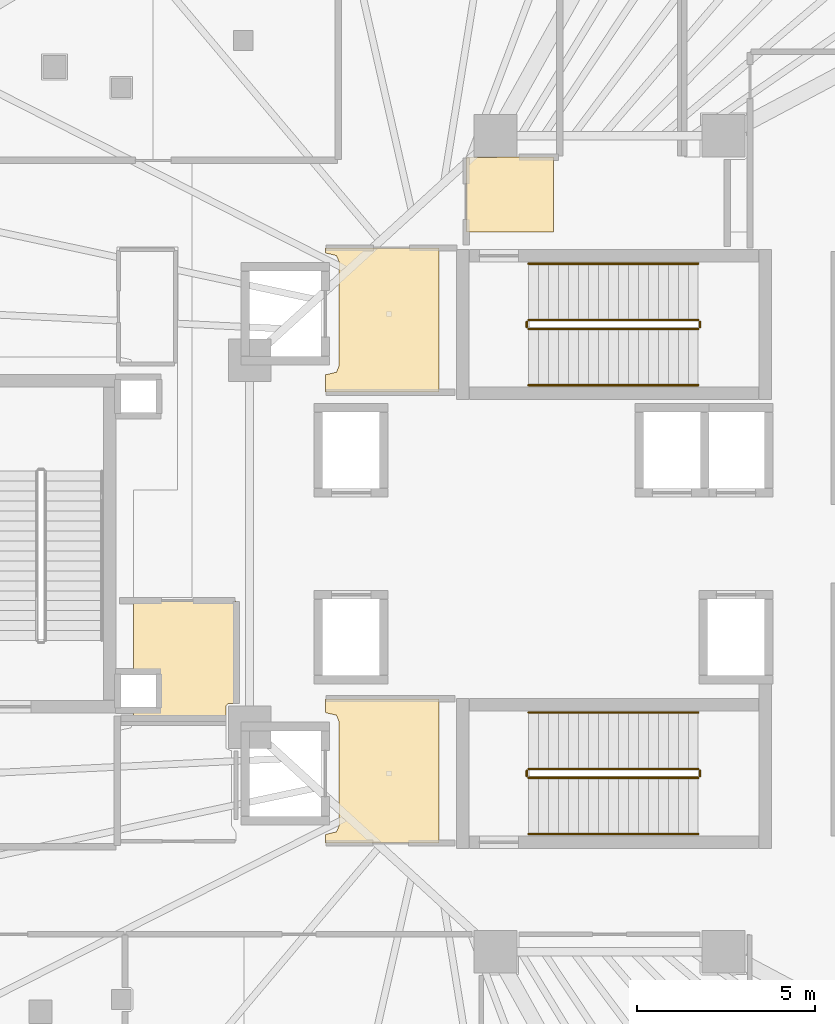
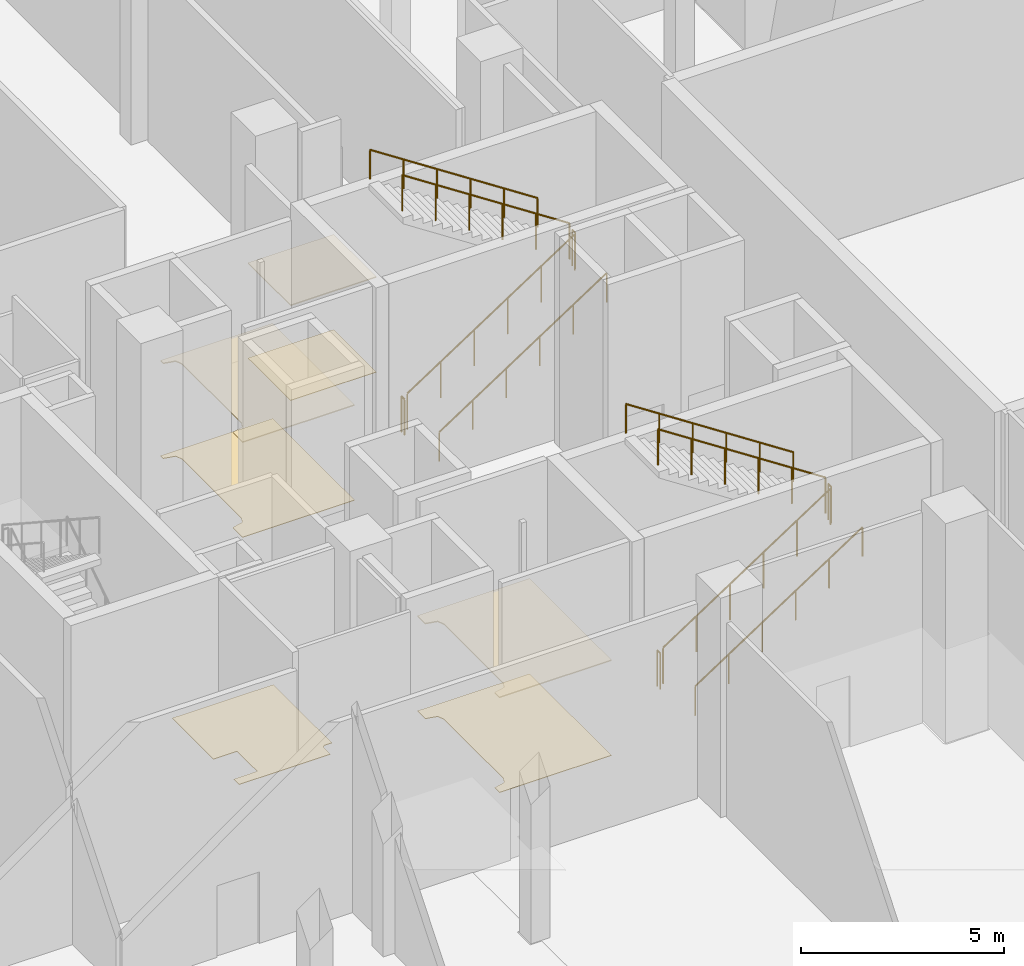
# One storey, part 41 of 45: 12 railings, 7 coverings.
"""IFC4 building model written with IfcOpenShell, lengths in metres."""

from ifc_helpers import new_model, si_unit, direction, frame, origin, origin_2d, place, context, subcontext, project, spatial, polyline, circle, outline, extrude, material, layer, layer_set, type_object, element, save


model = new_model("IFC4")

# Units and contexts
model_context = context("Model", 3, precision=1e-05, world=origin(), true_north=direction((0.0, 1.0)))
body_context = subcontext(model_context, "Body", "Model", "MODEL_VIEW")
ifc_project = project(units=[si_unit("LENGTHUNIT", "METRE"), si_unit("AREAUNIT", "SQUARE_METRE"), si_unit("VOLUMEUNIT", "CUBIC_METRE"), si_unit("PLANEANGLEUNIT", "RADIAN"), si_unit("MASSUNIT", "GRAM", prefix="KILO")], contexts=[model_context])

# Site, building, storey
site_placement = place(None, origin())
site = spatial("IfcSite", under=ifc_project, at=site_placement, CompositionType="ELEMENT")
building_placement = place(site_placement, origin())
building = spatial("IfcBuilding", under=site, at=building_placement, Name="Qorvath Tower", CompositionType="ELEMENT")
storey_placement = place(building_placement, origin())
storey = spatial("IfcBuildingStorey", under=building, at=storey_placement, Name="L00", CompositionType="ELEMENT", Elevation=0.0)

# Coverings
ifc_material_1 = material(Name="Acoustic mineral fibre ceiling tile", Category="gypsum")
ifc_layer_1 = layer(ifc_material_1, 0.030029296875)
ifc_layer_set_1 = layer_set([ifc_layer_1], Name="COV-CEIL")
covering_type_1 = type_object("IfcCoveringType", Name="COV-CEIL", PredefinedType="CEILING", material=ifc_layer_set_1)
covering_1_placement = place(storey_placement, frame((0.0, 0.0, 2.85009765625)))
element("IfcCovering", 1, at=covering_1_placement, inside=storey, type_object=covering_type_1, Name="L00 Suspended Acoustic Ceiling 001", PredefinedType="CEILING", context=body_context, shape_type="SweptSolid", body=[
    extrude(outline(polyline([(-25.18994140625, 4.2548828125), (-25.18994140625, 8.294921875), (-28.375, 8.294921875), (-28.375, 8.159912109375), (-28.063232421875, 8.086669921875), (-27.989990234375, 7.909912109375), (-27.989990234375, 4.989990234375), (-28.063232421875, 4.813232421875), (-28.375, 4.739990234375), (-28.375, 4.2548828125), (-25.18994140625, 4.2548828125)])), origin(), (0.0, 0.0, 1.0), 0.030029296875),
])
covering_2_placement = place(storey_placement, frame((0.0, 0.0, 2.85009765625)))
element("IfcCovering", 2, at=covering_2_placement, inside=storey, type_object=covering_type_1, Name="L00 Suspended Acoustic Ceiling 002", PredefinedType="CEILING", context=body_context, shape_type="SweptSolid", body=[
    extrude(outline(polyline([(-25.18994140625, -8.39501953125), (-25.18994140625, -4.35498046875), (-28.375, -4.35498046875), (-28.375, -4.739990234375), (-28.063232421875, -4.813232421875), (-27.989990234375, -4.989990234375), (-27.989990234375, -7.909912109375), (-28.063232421875, -8.086669921875), (-28.375, -8.159912109375), (-28.375, -8.39501953125), (-25.18994140625, -8.39501953125)])), origin(), (0.0, 0.0, 1.0), 0.030029296875),
])
covering_3_placement = place(storey_placement, frame((0.0, 0.0, 2.85009765625)))
element("IfcCovering", 3, at=covering_3_placement, inside=storey, type_object=covering_type_1, Name="L00 Suspended Acoustic Ceiling 007", PredefinedType="CEILING", context=body_context, shape_type="SweptSolid", body=[
    extrude(outline(polyline([(-24.4150390625, 10.844970703125), (-24.4150390625, 8.75), (-21.978271484375, 8.75), (-21.978271484375, 10.849609375), (-24.4150390625, 10.844970703125)])), origin(), (0.0, 0.0, 1.0), 0.030029296875),
])
ifc_material_2 = material(Name="Polished epoxy terrazzo flooring", Category="concrete")
ifc_layer_2 = layer(ifc_material_2, 0.02001953125)
ifc_layer_set_2 = layer_set([ifc_layer_2], Name="COV-FLOOR-TRZ")
covering_type_2 = type_object("IfcCoveringType", Name="COV-FLOOR-TRZ", PredefinedType="FLOORING", material=ifc_layer_set_2)
covering_4_placement = place(storey_placement, origin())
element("IfcCovering", 4, at=covering_4_placement, inside=storey, type_object=covering_type_2, Name="L00 Floor Finish 001", PredefinedType="FLOORING", context=body_context, shape_type="SweptSolid", body=[
    extrude(outline(polyline([(-25.18994140625, 4.2548828125), (-25.18994140625, 8.294921875), (-28.375, 8.294921875), (-28.375, 8.159912109375), (-28.063232421875, 8.086669921875), (-27.989990234375, 7.909912109375), (-27.989990234375, 4.989990234375), (-28.063232421875, 4.813232421875), (-28.375, 4.739990234375), (-28.375, 4.2548828125), (-25.18994140625, 4.2548828125)])), origin(), (0.0, 0.0, 1.0), 0.014892578125),
])
covering_5_placement = place(storey_placement, origin())
element("IfcCovering", 5, at=covering_5_placement, inside=storey, type_object=covering_type_2, Name="L00 Floor Finish 002", PredefinedType="FLOORING", context=body_context, shape_type="SweptSolid", body=[
    extrude(outline(polyline([(-25.18994140625, -8.39501953125), (-25.18994140625, -4.35498046875), (-28.375, -4.35498046875), (-28.375, -4.739990234375), (-28.063232421875, -4.813232421875), (-27.989990234375, -4.989990234375), (-27.989990234375, -7.909912109375), (-28.063232421875, -8.086669921875), (-28.375, -8.159912109375), (-28.375, -8.39501953125), (-25.18994140625, -8.39501953125)])), origin(), (0.0, 0.0, 1.0), 0.014892578125),
])
covering_6_placement = place(storey_placement, origin())
element("IfcCovering", 6, at=covering_6_placement, inside=storey, type_object=covering_type_2, Name="L00 Floor Finish 005", PredefinedType="FLOORING", context=body_context, shape_type="SweptSolid", body=[
    extrude(outline(polyline([(-30.885009765625, -4.489990234375), (-30.885009765625, -1.60498046875), (-33.760009765625, -1.60498046875), (-33.760009765625, -3.636962890625), (-33.08837890625, -3.638427734375), (-33.0869140625, -4.6279296875), (-33.760009765625, -4.633056640625), (-33.760009765625, -4.89501953125), (-31.159912109375, -4.89501953125), (-31.159912109375, -4.550048828125), (-31.10009765625, -4.489990234375), (-30.885009765625, -4.489990234375)])), origin(), (0.0, 0.0, 1.0), 0.014892578125),
])
covering_7_placement = place(storey_placement, origin())
element("IfcCovering", 7, at=covering_7_placement, inside=storey, type_object=covering_type_2, Name="L00 Floor Finish 007", PredefinedType="FLOORING", context=body_context, shape_type="SweptSolid", body=[
    extrude(outline(polyline([(-24.4150390625, 10.844970703125), (-24.4150390625, 8.75), (-21.978271484375, 8.75), (-21.978271484375, 10.849609375), (-24.4150390625, 10.844970703125)])), origin(), (0.0, 0.0, 1.0), 0.014892578125),
])

# Railings
ifc_material_3 = material(Name="Painted galvanised steel", Category="steel")
railing_type_1 = type_object("IfcRailingType", Name="RL-STR-GRD", PredefinedType="GUARDRAIL", material=ifc_material_3)
railing_1_placement = place(storey_placement, frame((-22.669921875, 6.030029296875, 0.183349609375)))
element("IfcRailing", 8, at=railing_1_placement, inside=storey, type_object=railing_type_1, Name="L00 TS1 stair guard 1", PredefinedType="GUARDRAIL", context=body_context, shape_type="SweptSolid", body=[
    extrude(circle(Radius=0.02392578125, at=origin_2d()), frame((0.0, 0.0, 1.076171875), z_axis=(0.836616421643, 0.0, 0.547789159291), x_axis=(0.0, 1.0, 0.0)), (0.0, 0.0, 1.0), 5.689697265625),
    extrude(circle(Radius=0.02099609375, at=origin_2d()), origin(), (0.0, 0.0, 1.0), 1.052001953125),
    extrude(circle(Radius=0.02099609375, at=origin_2d()), frame((0.951904296875, 0.0, 0.623291015625)), (0.0, 0.0, 1.0), 1.052001953125),
    extrude(circle(Radius=0.02099609375, at=origin_2d()), frame((1.904052734375, 0.0, 1.24658203125)), (0.0, 0.0, 1.0), 1.052001953125),
    extrude(circle(Radius=0.02099609375, at=origin_2d()), frame((2.85595703125, 0.0, 1.8701171875)), (0.0, 0.0, 1.0), 1.052001953125),
    extrude(circle(Radius=0.02099609375, at=origin_2d()), frame((3.80810546875, 0.0, 2.493408203125)), (0.0, 0.0, 1.0), 1.052001953125),
    extrude(circle(Radius=0.02099609375, at=origin_2d()), frame((4.760009765625, 0.0, 3.11669921875)), (0.0, 0.0, 1.0), 1.052001953125),
])
railing_2_placement = place(storey_placement, frame((-17.860107421875, 6.080078125, 3.300048828125)))
element("IfcRailing", 9, at=railing_2_placement, inside=storey, type_object=railing_type_1, Name="L00 TS1 stair guard 2", PredefinedType="GUARDRAIL", context=body_context, shape_type="SweptSolid", body=[
    extrude(circle(Radius=0.02392578125, at=origin_2d()), frame((0.0, 0.0, 1.076171875), z_axis=(0.0, 1.0, 0.0), x_axis=(-1.0, 0.0, 0.0)), (0.0, 0.0, 1.0), 0.14990234375),
    extrude(circle(Radius=0.02099609375, at=origin_2d()), origin(), (0.0, 0.0, 1.0), 1.052001953125),
    extrude(circle(Radius=0.02099609375, at=origin_2d()), frame((0.0, 0.14990234375, 0.0)), (0.0, 0.0, 1.0), 1.052001953125),
])
railing_3_placement = place(storey_placement, frame((-17.909912109375, 6.280029296875, 3.4833984375)))
element("IfcRailing", 10, at=railing_3_placement, inside=storey, type_object=railing_type_1, Name="L00 TS1 stair guard 3", PredefinedType="GUARDRAIL", context=body_context, shape_type="SweptSolid", body=[
    extrude(circle(Radius=0.02392578125, at=origin_2d()), frame((0.0, 0.0, 1.076171875), z_axis=(-0.836616421643, 0.0, 0.547789159291), x_axis=(0.0, -1.0, 0.0)), (0.0, 0.0, 1.0), 5.689697265625),
    extrude(circle(Radius=0.02099609375, at=origin_2d()), origin(), (0.0, 0.0, 1.0), 1.052001953125),
    extrude(circle(Radius=0.02099609375, at=origin_2d()), frame((-0.951904296875, 0.0, 0.623291015625)), (0.0, 0.0, 1.0), 1.052001953125),
    extrude(circle(Radius=0.02099609375, at=origin_2d()), frame((-1.904052734375, 0.0, 1.24658203125)), (0.0, 0.0, 1.0), 1.052001953125),
    extrude(circle(Radius=0.02099609375, at=origin_2d()), frame((-2.85595703125, 0.0, 1.8701171875)), (0.0, 0.0, 1.0), 1.052001953125),
    extrude(circle(Radius=0.02099609375, at=origin_2d()), frame((-3.80810546875, 0.0, 2.493408203125)), (0.0, 0.0, 1.0), 1.052001953125),
    extrude(circle(Radius=0.02099609375, at=origin_2d()), frame((-4.760009765625, 0.0, 3.11669921875)), (0.0, 0.0, 1.0), 1.052001953125),
])
railing_4_placement = place(storey_placement, frame((-22.719970703125, 6.080078125, 0.0)))
element("IfcRailing", 11, at=railing_4_placement, inside=storey, type_object=railing_type_1, Name="L00 TS1 stair guard 4", PredefinedType="GUARDRAIL", context=body_context, shape_type="SweptSolid", body=[
    extrude(circle(Radius=0.02392578125, at=origin_2d()), frame((0.0, 0.0, 1.076171875), z_axis=(0.0, 1.0, 0.0), x_axis=(-1.0, 0.0, 0.0)), (0.0, 0.0, 1.0), 0.14990234375),
    extrude(circle(Radius=0.02099609375, at=origin_2d()), origin(), (0.0, 0.0, 1.0), 1.052001953125),
    extrude(circle(Radius=0.02099609375, at=origin_2d()), frame((0.0, 0.14990234375, 0.0)), (0.0, 0.0, 1.0), 1.052001953125),
])
railing_5_placement = place(storey_placement, frame((-22.669921875, -6.570068359375, 0.183349609375)))
element("IfcRailing", 12, at=railing_5_placement, inside=storey, type_object=railing_type_1, Name="L00 TS2 stair guard 1", PredefinedType="GUARDRAIL", context=body_context, shape_type="SweptSolid", body=[
    extrude(circle(Radius=0.02392578125, at=origin_2d()), frame((0.0, 0.0, 1.076171875), z_axis=(0.836616421643, 0.0, 0.547789159291), x_axis=(0.0, 1.0, 0.0)), (0.0, 0.0, 1.0), 5.689697265625),
    extrude(circle(Radius=0.02099609375, at=origin_2d()), origin(), (0.0, 0.0, 1.0), 1.052001953125),
    extrude(circle(Radius=0.02099609375, at=origin_2d()), frame((0.951904296875, 0.0, 0.623291015625)), (0.0, 0.0, 1.0), 1.052001953125),
    extrude(circle(Radius=0.02099609375, at=origin_2d()), frame((1.904052734375, 0.0, 1.24658203125)), (0.0, 0.0, 1.0), 1.052001953125),
    extrude(circle(Radius=0.02099609375, at=origin_2d()), frame((2.85595703125, 0.0, 1.8701171875)), (0.0, 0.0, 1.0), 1.052001953125),
    extrude(circle(Radius=0.02099609375, at=origin_2d()), frame((3.80810546875, 0.0, 2.493408203125)), (0.0, 0.0, 1.0), 1.052001953125),
    extrude(circle(Radius=0.02099609375, at=origin_2d()), frame((4.760009765625, 0.0, 3.11669921875)), (0.0, 0.0, 1.0), 1.052001953125),
])
railing_6_placement = place(storey_placement, frame((-17.860107421875, -6.52001953125, 3.300048828125)))
element("IfcRailing", 13, at=railing_6_placement, inside=storey, type_object=railing_type_1, Name="L00 TS2 stair guard 2", PredefinedType="GUARDRAIL", context=body_context, shape_type="SweptSolid", body=[
    extrude(circle(Radius=0.02392578125, at=origin_2d()), frame((0.0, 0.0, 1.076171875), z_axis=(0.0, 1.0, 0.0), x_axis=(-1.0, 0.0, 0.0)), (0.0, 0.0, 1.0), 0.14990234375),
    extrude(circle(Radius=0.02099609375, at=origin_2d()), origin(), (0.0, 0.0, 1.0), 1.052001953125),
    extrude(circle(Radius=0.02099609375, at=origin_2d()), frame((0.0, 0.14990234375, 0.0)), (0.0, 0.0, 1.0), 1.052001953125),
])
railing_7_placement = place(storey_placement, frame((-17.909912109375, -6.320068359375, 3.4833984375)))
element("IfcRailing", 14, at=railing_7_placement, inside=storey, type_object=railing_type_1, Name="L00 TS2 stair guard 3", PredefinedType="GUARDRAIL", context=body_context, shape_type="SweptSolid", body=[
    extrude(circle(Radius=0.02392578125, at=origin_2d()), frame((0.0, 0.0, 1.076171875), z_axis=(-0.836616421643, 0.0, 0.547789159291), x_axis=(0.0, -1.0, 0.0)), (0.0, 0.0, 1.0), 5.689697265625),
    extrude(circle(Radius=0.02099609375, at=origin_2d()), origin(), (0.0, 0.0, 1.0), 1.052001953125),
    extrude(circle(Radius=0.02099609375, at=origin_2d()), frame((-0.951904296875, 0.0, 0.623291015625)), (0.0, 0.0, 1.0), 1.052001953125),
    extrude(circle(Radius=0.02099609375, at=origin_2d()), frame((-1.904052734375, 0.0, 1.24658203125)), (0.0, 0.0, 1.0), 1.052001953125),
    extrude(circle(Radius=0.02099609375, at=origin_2d()), frame((-2.85595703125, 0.0, 1.8701171875)), (0.0, 0.0, 1.0), 1.052001953125),
    extrude(circle(Radius=0.02099609375, at=origin_2d()), frame((-3.80810546875, 0.0, 2.493408203125)), (0.0, 0.0, 1.0), 1.052001953125),
    extrude(circle(Radius=0.02099609375, at=origin_2d()), frame((-4.760009765625, 0.0, 3.11669921875)), (0.0, 0.0, 1.0), 1.052001953125),
])
railing_8_placement = place(storey_placement, frame((-22.719970703125, -6.52001953125, 0.0)))
element("IfcRailing", 15, at=railing_8_placement, inside=storey, type_object=railing_type_1, Name="L00 TS2 stair guard 4", PredefinedType="GUARDRAIL", context=body_context, shape_type="SweptSolid", body=[
    extrude(circle(Radius=0.02392578125, at=origin_2d()), frame((0.0, 0.0, 1.076171875), z_axis=(0.0, 1.0, 0.0), x_axis=(-1.0, 0.0, 0.0)), (0.0, 0.0, 1.0), 0.14990234375),
    extrude(circle(Radius=0.02099609375, at=origin_2d()), origin(), (0.0, 0.0, 1.0), 1.052001953125),
    extrude(circle(Radius=0.02099609375, at=origin_2d()), frame((0.0, 0.14990234375, 0.0)), (0.0, 0.0, 1.0), 1.052001953125),
])
ifc_material_4 = material(Name="Brushed stainless steel AISI 304", Category="steel")
railing_type_2 = type_object("IfcRailingType", Name="RL-STR-HND", PredefinedType="HANDRAIL", material=ifc_material_4)
railing_9_placement = place(storey_placement, frame((-22.669921875, 4.449951171875, 0.183349609375)))
element("IfcRailing", 16, at=railing_9_placement, inside=storey, type_object=railing_type_2, Name="L00 TS1 stair handrail 1", PredefinedType="HANDRAIL", context=body_context, shape_type="SweptSolid", body=[
    extrude(circle(Radius=0.02392578125, at=origin_2d()), frame((0.0, 0.0, 0.8759765625), z_axis=(0.836616421643, 0.0, 0.547789159291), x_axis=(0.0, 1.0, 0.0)), (0.0, 0.0, 1.0), 5.689697265625),
    extrude(circle(Radius=0.02099609375, at=origin_2d()), origin(), (0.0, 0.0, 1.0), 0.851806640625),
    extrude(circle(Radius=0.02099609375, at=origin_2d()), frame((0.951904296875, 0.0, 0.623291015625)), (0.0, 0.0, 1.0), 0.851806640625),
    extrude(circle(Radius=0.02099609375, at=origin_2d()), frame((1.904052734375, 0.0, 1.24658203125)), (0.0, 0.0, 1.0), 0.851806640625),
    extrude(circle(Radius=0.02099609375, at=origin_2d()), frame((2.85595703125, 0.0, 1.8701171875)), (0.0, 0.0, 1.0), 0.851806640625),
    extrude(circle(Radius=0.02099609375, at=origin_2d()), frame((3.80810546875, 0.0, 2.493408203125)), (0.0, 0.0, 1.0), 0.851806640625),
    extrude(circle(Radius=0.02099609375, at=origin_2d()), frame((4.760009765625, 0.0, 3.11669921875)), (0.0, 0.0, 1.0), 0.851806640625),
])
railing_10_placement = place(storey_placement, frame((-17.909912109375, 7.860107421875, 3.4833984375)))
element("IfcRailing", 17, at=railing_10_placement, inside=storey, type_object=railing_type_2, Name="L00 TS1 stair handrail 2", PredefinedType="HANDRAIL", context=body_context, shape_type="SweptSolid", body=[
    extrude(circle(Radius=0.02392578125, at=origin_2d()), frame((0.0, 0.0, 0.8759765625), z_axis=(-0.836616421643, 0.0, 0.547789159291), x_axis=(0.0, -1.0, 0.0)), (0.0, 0.0, 1.0), 5.689697265625),
    extrude(circle(Radius=0.02099609375, at=origin_2d()), origin(), (0.0, 0.0, 1.0), 0.851806640625),
    extrude(circle(Radius=0.02099609375, at=origin_2d()), frame((-0.951904296875, 0.0, 0.623291015625)), (0.0, 0.0, 1.0), 0.851806640625),
    extrude(circle(Radius=0.02099609375, at=origin_2d()), frame((-1.904052734375, 0.0, 1.24658203125)), (0.0, 0.0, 1.0), 0.851806640625),
    extrude(circle(Radius=0.02099609375, at=origin_2d()), frame((-2.85595703125, 0.0, 1.8701171875)), (0.0, 0.0, 1.0), 0.851806640625),
    extrude(circle(Radius=0.02099609375, at=origin_2d()), frame((-3.80810546875, 0.0, 2.493408203125)), (0.0, 0.0, 1.0), 0.851806640625),
    extrude(circle(Radius=0.02099609375, at=origin_2d()), frame((-4.760009765625, 0.0, 3.11669921875)), (0.0, 0.0, 1.0), 0.851806640625),
])
railing_11_placement = place(storey_placement, frame((-22.669921875, -8.14990234375, 0.183349609375)))
element("IfcRailing", 18, at=railing_11_placement, inside=storey, type_object=railing_type_2, Name="L00 TS2 stair handrail 1", PredefinedType="HANDRAIL", context=body_context, shape_type="SweptSolid", body=[
    extrude(circle(Radius=0.02392578125, at=origin_2d()), frame((0.0, 0.0, 0.8759765625), z_axis=(0.836616421643, 0.0, 0.547789159291), x_axis=(0.0, 1.0, 0.0)), (0.0, 0.0, 1.0), 5.689697265625),
    extrude(circle(Radius=0.02099609375, at=origin_2d()), origin(), (0.0, 0.0, 1.0), 0.851806640625),
    extrude(circle(Radius=0.02099609375, at=origin_2d()), frame((0.951904296875, 0.0, 0.623291015625)), (0.0, 0.0, 1.0), 0.851806640625),
    extrude(circle(Radius=0.02099609375, at=origin_2d()), frame((1.904052734375, 0.0, 1.24658203125)), (0.0, 0.0, 1.0), 0.851806640625),
    extrude(circle(Radius=0.02099609375, at=origin_2d()), frame((2.85595703125, 0.0, 1.8701171875)), (0.0, 0.0, 1.0), 0.851806640625),
    extrude(circle(Radius=0.02099609375, at=origin_2d()), frame((3.80810546875, 0.0, 2.493408203125)), (0.0, 0.0, 1.0), 0.851806640625),
    extrude(circle(Radius=0.02099609375, at=origin_2d()), frame((4.760009765625, 0.0, 3.11669921875)), (0.0, 0.0, 1.0), 0.851806640625),
])
railing_12_placement = place(storey_placement, frame((-17.909912109375, -4.739990234375, 3.4833984375)))
element("IfcRailing", 19, at=railing_12_placement, inside=storey, type_object=railing_type_2, Name="L00 TS2 stair handrail 2", PredefinedType="HANDRAIL", context=body_context, shape_type="SweptSolid", body=[
    extrude(circle(Radius=0.02392578125, at=origin_2d()), frame((0.0, 0.0, 0.8759765625), z_axis=(-0.836616421643, 0.0, 0.547789159291), x_axis=(0.0, -1.0, 0.0)), (0.0, 0.0, 1.0), 5.689697265625),
    extrude(circle(Radius=0.02099609375, at=origin_2d()), origin(), (0.0, 0.0, 1.0), 0.851806640625),
    extrude(circle(Radius=0.02099609375, at=origin_2d()), frame((-0.951904296875, 0.0, 0.623291015625)), (0.0, 0.0, 1.0), 0.851806640625),
    extrude(circle(Radius=0.02099609375, at=origin_2d()), frame((-1.904052734375, 0.0, 1.24658203125)), (0.0, 0.0, 1.0), 0.851806640625),
    extrude(circle(Radius=0.02099609375, at=origin_2d()), frame((-2.85595703125, 0.0, 1.8701171875)), (0.0, 0.0, 1.0), 0.851806640625),
    extrude(circle(Radius=0.02099609375, at=origin_2d()), frame((-3.80810546875, 0.0, 2.493408203125)), (0.0, 0.0, 1.0), 0.851806640625),
    extrude(circle(Radius=0.02099609375, at=origin_2d()), frame((-4.760009765625, 0.0, 3.11669921875)), (0.0, 0.0, 1.0), 0.851806640625),
])

save(model, "model.ifc")
